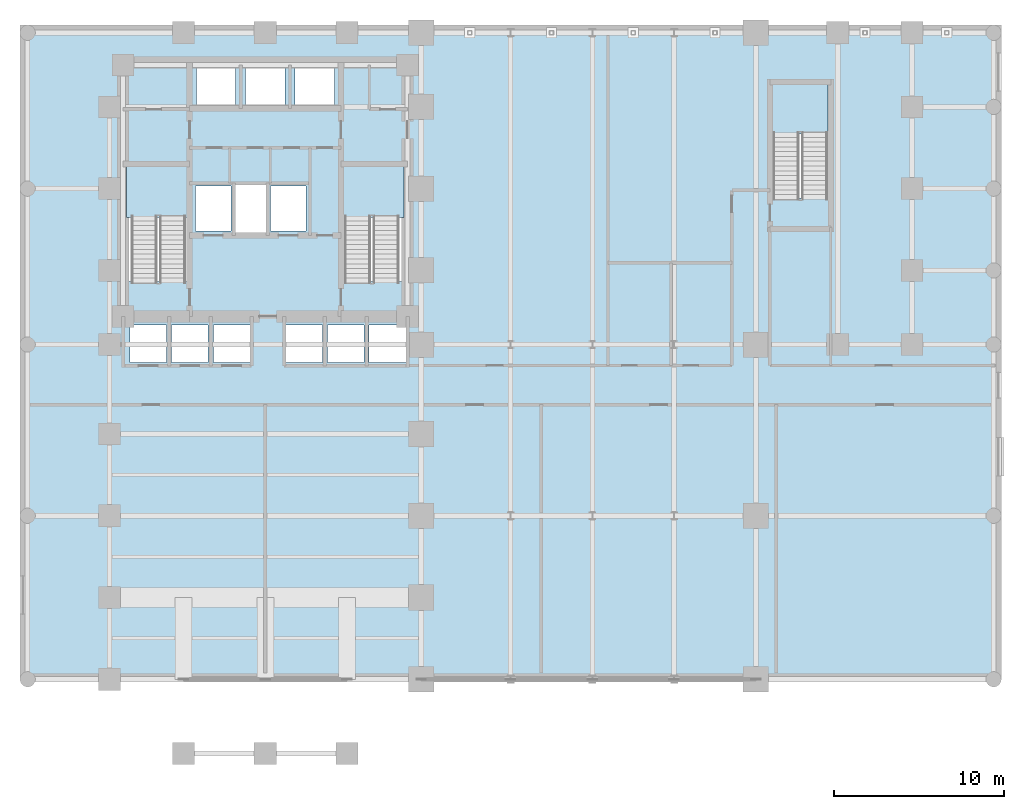
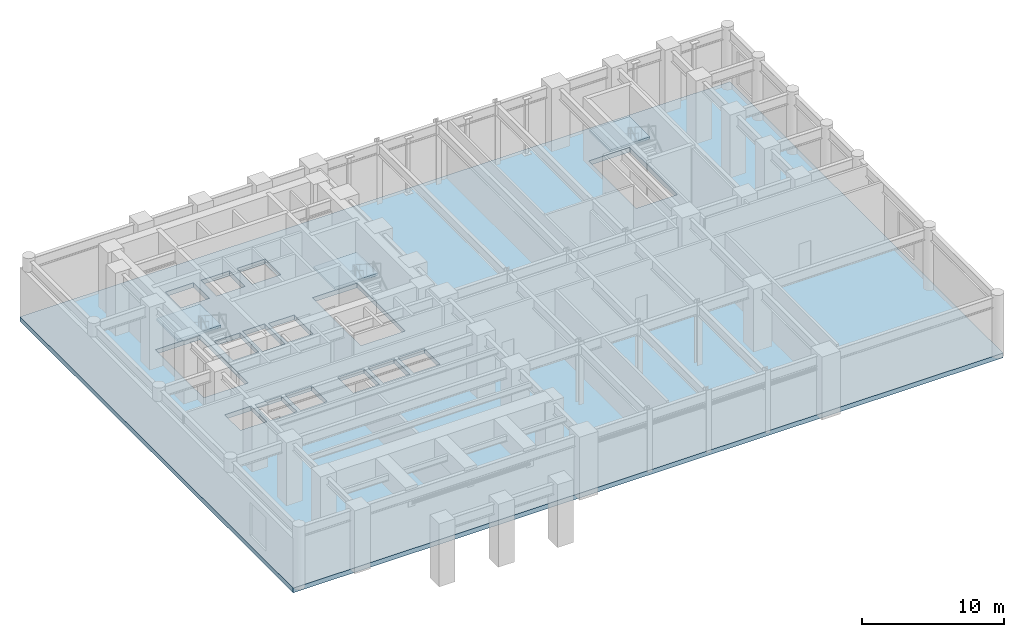
# One storey, part 4 of 10: 4 slabs, 3 elements without a shape of their own.
"""IFC4 building model written with IfcOpenShell, lengths in metres."""

from ifc_helpers import new_model, si_unit, direction, frame, origin, place, context, subcontext, project, spatial, polyline, outline, extrude, material, layer, layer_set, type_object, element, aggregate, save


model = new_model("IFC4")

# Units and contexts
model_context = context("Model", 3, precision=1e-05, world=origin(), true_north=direction((0.0, 1.0)))
body_context = subcontext(model_context, "Body", "Model", "MODEL_VIEW")
ifc_project = project(units=[si_unit("LENGTHUNIT", "METRE"), si_unit("AREAUNIT", "SQUARE_METRE"), si_unit("VOLUMEUNIT", "CUBIC_METRE"), si_unit("PLANEANGLEUNIT", "RADIAN"), si_unit("MASSUNIT", "GRAM", prefix="KILO")], contexts=[model_context])

# Site, building, storey
site_placement = place(None, origin())
site = spatial("IfcSite", under=ifc_project, at=site_placement, CompositionType="ELEMENT")
building_placement = place(site_placement, origin())
building = spatial("IfcBuilding", under=site, at=building_placement, Name="Orvandelia Arch Residences", CompositionType="ELEMENT")
storey_placement = place(building_placement, frame((0.0, 0.0, 19.60009765625)))
storey = spatial("IfcBuildingStorey", under=building, at=storey_placement, Name="L04", CompositionType="ELEMENT", Elevation=19.60009765625)

# Stair, slab
ifc_material_1 = material(Name="Concrete C40/50", Category="concrete")
stair_type = type_object("IfcStairType", Name="STAIR-RC-DOGLEG", PredefinedType="HALF_TURN_STAIR", material=ifc_material_1)
stair_1_placement = place(storey_placement, origin())
stair_1 = element("IfcStair", 1, at=stair_1_placement, inside=storey, type_object=stair_type, Name="L04 Protected Exit Stair ST-1", PredefinedType="HALF_TURN_STAIR")
ifc_layer_1 = layer(ifc_material_1, 0.219970703125, Name="Concrete C40/50", Category="concrete")
ifc_layer_set_1 = layer_set([ifc_layer_1], Name="Concrete C40/50")
slab_type_1 = type_object("IfcSlabType", Name="SLB-LANDING-220", PredefinedType="LANDING", material=ifc_layer_set_1)
slab_1_placement = place(storey_placement, frame((0.0, 0.0, 2.5)))
slab_1 = element("IfcSlab", 2, at=slab_1_placement, type_object=slab_type_1, Name="ST-1 landing 1", PredefinedType="LANDING", context=body_context, shape_type="SweptSolid", body=[
    extrude(outline(polyline([(9.800048828125, 36.7099609375), (9.800048828125, 39.68994140625), (6.260009765625, 39.68994140625), (6.260009765625, 36.7099609375), (9.800048828125, 36.7099609375)])), origin(), (0.0, 0.0, 1.0), 0.199951171875),
])
aggregate(stair_1, [slab_1])

stair_2_placement = place(storey_placement, origin())
stair_2 = element("IfcStair", 3, at=stair_2_placement, inside=storey, type_object=stair_type, Name="L04 Protected Exit Stair ST-2", PredefinedType="HALF_TURN_STAIR")
slab_2_placement = place(storey_placement, frame((0.0, 0.0, 2.5)))
slab_2 = element("IfcSlab", 4, at=slab_2_placement, type_object=slab_type_1, Name="ST-2 landing 1", PredefinedType="LANDING", context=body_context, shape_type="SweptSolid", body=[
    extrude(outline(polyline([(22.5400390625, 36.7099609375), (22.5400390625, 39.68994140625), (19.0, 39.68994140625), (19.0, 36.7099609375), (22.5400390625, 36.7099609375)])), origin(), (0.0, 0.0, 1.0), 0.199951171875),
])
aggregate(stair_2, [slab_2])

stair_3_placement = place(storey_placement, origin())
stair_3 = element("IfcStair", 5, at=stair_3_placement, inside=storey, type_object=stair_type, Name="L04 East Wing Exit Stair ST-3", PredefinedType="HALF_TURN_STAIR")
slab_3_placement = place(storey_placement, frame((0.0, 0.0, 2.5)))
slab_3 = element("IfcSlab", 6, at=slab_3_placement, type_object=slab_type_1, Name="ST-3 landing 1", PredefinedType="LANDING", context=body_context, shape_type="SweptSolid", body=[
    extrude(outline(polyline([(47.43994140625, 41.610107421875), (47.43994140625, 44.5), (44.179931640625, 44.5), (44.179931640625, 41.610107421875), (47.43994140625, 41.610107421875)])), origin(), (0.0, 0.0, 1.0), 0.199951171875),
])
aggregate(stair_3, [slab_3])

# Slab
ifc_material_2 = material(Name="Concrete C60/75", Category="concrete")
ifc_layer_2 = layer(ifc_material_2, 0.39990234375, Name="Concrete C60/75", Category="concrete")
ifc_layer_set_2 = layer_set([ifc_layer_2], Name="Concrete C60/75")
slab_type_2 = type_object("IfcSlabType", Name="SLB-XFER-400", PredefinedType="FLOOR", material=ifc_layer_set_2)
slab_4_placement = place(storey_placement, frame((0.0, 0.0, -0.400146484375)))
element("IfcSlab", 7, at=slab_4_placement, inside=storey, type_object=slab_type_2, Name="Structural Floor Slab L04-1", PredefinedType="FLOOR", context=body_context, shape_type="SweptSolid", body=[
    extrude(outline(polyline([(0.0, 9.60009765625), (57.60009765625, 9.60009765625), (57.60009765625, 48.0), (0.0, 48.0), (0.0, 9.60009765625)]), holes=[polyline([(6.219970703125, 32.949951171875), (9.840087890625, 32.949951171875), (9.840087890625, 39.72998046875), (6.219970703125, 39.72998046875), (6.219970703125, 32.949951171875)]), polyline([(18.9599609375, 32.949951171875), (22.580078125, 32.949951171875), (22.580078125, 39.72998046875), (18.9599609375, 39.72998046875), (18.9599609375, 32.949951171875)]), polyline([(44.139892578125, 37.85009765625), (47.47998046875, 37.85009765625), (47.47998046875, 44.5400390625), (44.139892578125, 44.5400390625), (44.139892578125, 37.85009765625)]), polyline([(12.639892578125, 35.81005859375), (14.4599609375, 35.81005859375), (14.4599609375, 38.639892578125), (12.639892578125, 38.639892578125), (12.639892578125, 35.81005859375)]), polyline([(10.300048828125, 35.89990234375), (12.39990234375, 35.89990234375), (12.39990234375, 38.550048828125), (10.300048828125, 38.550048828125), (10.300048828125, 35.89990234375)]), polyline([(14.699951171875, 35.89990234375), (16.800048828125, 35.89990234375), (16.800048828125, 38.550048828125), (14.699951171875, 38.550048828125), (14.699951171875, 35.89990234375)]), polyline([(10.35009765625, 43.300048828125), (12.64990234375, 43.300048828125), (12.64990234375, 45.5), (10.35009765625, 45.5), (10.35009765625, 43.300048828125)]), polyline([(13.25, 43.300048828125), (15.550048828125, 43.300048828125), (15.550048828125, 45.5), (13.25, 45.5), (13.25, 43.300048828125)]), polyline([(16.14990234375, 43.300048828125), (18.449951171875, 43.300048828125), (18.449951171875, 45.5), (16.14990234375, 45.5), (16.14990234375, 43.300048828125)]), polyline([(6.449951171875, 28.199951171875), (8.60009765625, 28.199951171875), (8.60009765625, 30.39990234375), (6.449951171875, 30.39990234375), (6.449951171875, 28.199951171875)]), polyline([(8.89990234375, 28.199951171875), (11.050048828125, 28.199951171875), (11.050048828125, 30.39990234375), (8.89990234375, 30.39990234375), (8.89990234375, 28.199951171875)]), polyline([(11.35009765625, 28.199951171875), (13.5, 28.199951171875), (13.5, 30.39990234375), (11.35009765625, 30.39990234375), (11.35009765625, 28.199951171875)]), polyline([(15.60009765625, 28.199951171875), (17.75, 28.199951171875), (17.75, 30.39990234375), (15.60009765625, 30.39990234375), (15.60009765625, 28.199951171875)]), polyline([(18.050048828125, 28.199951171875), (20.199951171875, 28.199951171875), (20.199951171875, 30.39990234375), (18.050048828125, 30.39990234375), (18.050048828125, 28.199951171875)]), polyline([(20.5, 28.199951171875), (22.64990234375, 28.199951171875), (22.64990234375, 30.39990234375), (20.5, 30.39990234375), (20.5, 28.199951171875)])]), origin(), (0.0, 0.0, 1.0), 0.400146484375),
])

save(model, "model.ifc")
